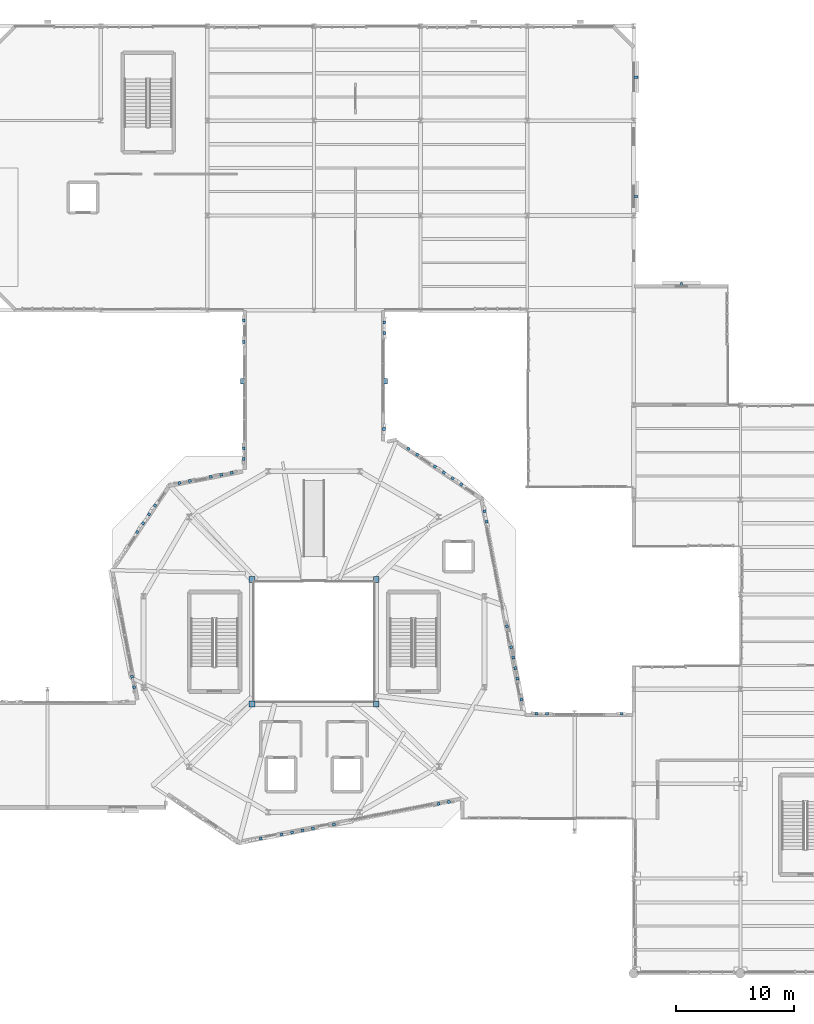
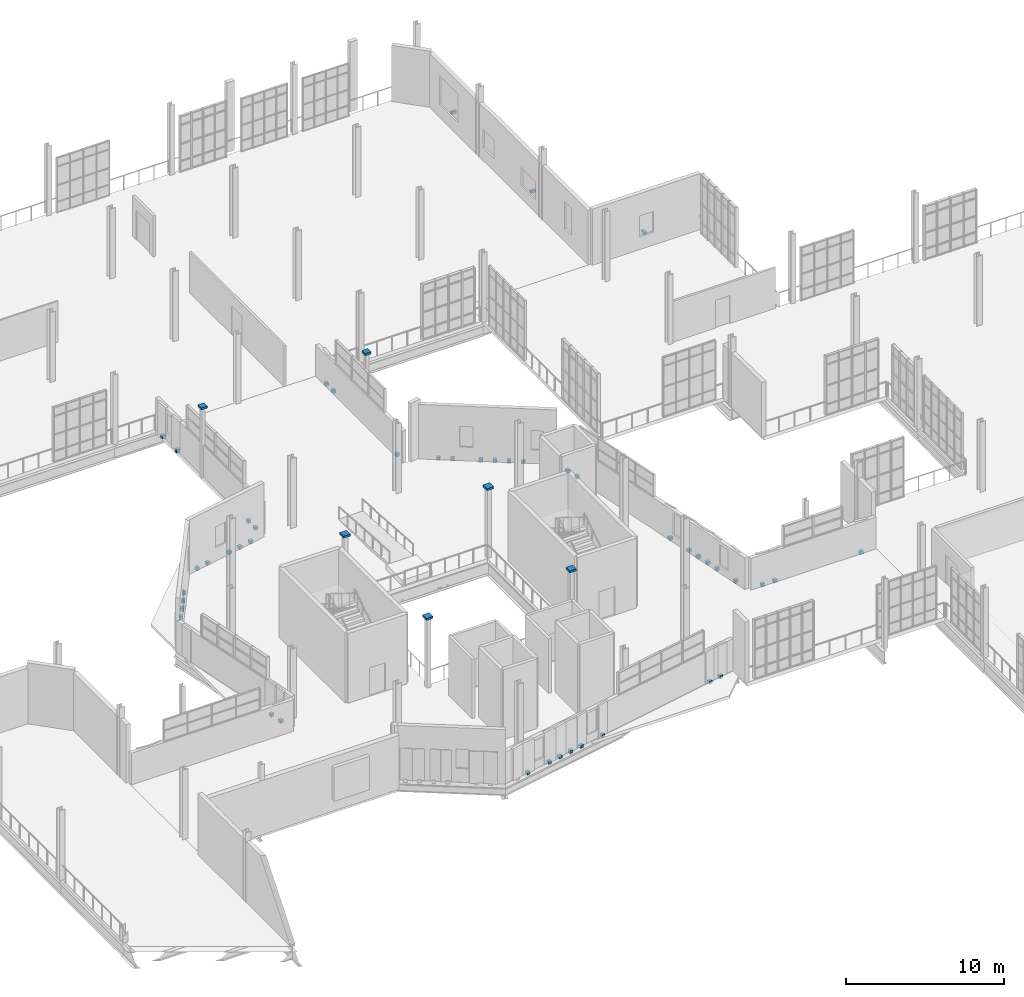
# One storey, part 130 of 142: 52 discrete accessories.
"""IFC4 building model written with IfcOpenShell, lengths in metres."""

import ifcopenshell
import ifcopenshell.guid

model = None  # the IFC model being written
_history = None  # IfcOwnerHistory: only IFC2X3 demands one
_inside = {}  # id of a spatial element -> (the spatial element, [elements in it])
_under = {}  # id of a project, library or spatial element -> (it, [spatial elements below it])
_declared = {}  # id of a project -> (the project, [libraries it declares])
_typed = {}  # id of a type object -> (the type object, [elements of that type])
_made_of = {}  # id of a material, layer set ... -> (it, [elements and type objects made of it])


def new_model(schema):
    """Start an empty IFC model of exactly this schema.

    Asked for "IFC4X3", IfcOpenShell would pick the latest addendum, in which some entities
    have other attributes; the version numbers below select the first issue.
    IFC2X3 requires an IfcOwnerHistory on every rooted entity: one is made here for all.
    """
    global model, _history
    if schema == "IFC4X3":
        model = ifcopenshell.file(schema_version=(4, 3, 0, 0))
    else:
        model = ifcopenshell.file(schema=schema)
    _inside.clear()
    _under.clear()
    _declared.clear()
    _typed.clear()
    _made_of.clear()
    _history = None
    if model.schema == "IFC2X3":
        org = make("IfcOrganization", Name="unknown")
        user = make(
            "IfcPersonAndOrganization",
            ThePerson=make("IfcPerson", FamilyName="unknown"),
            TheOrganization=org,
        )
        app = make(
            "IfcApplication",
            ApplicationDeveloper=org,
            Version="unknown",
            ApplicationFullName="unknown",
            ApplicationIdentifier="unknown",
        )
        _history = make(
            "IfcOwnerHistory",
            OwningUser=user,
            OwningApplication=app,
            ChangeAction="ADDED",
            CreationDate=0,
        )
    return model


def make(cls, **values):
    """One entity of the class cls with the attributes given. An attribute that is None is left unset."""
    return model.create_entity(
        cls, **{name: value for name, value in values.items() if value is not None}
    )


def rooted(cls, **values):
    """An entity with a GlobalId (a new one), such as an element, a storey or a relation."""
    return make(cls, GlobalId=ifcopenshell.guid.new(), OwnerHistory=_history, **values)


def si_unit(unit_type, name, prefix=None):
    """IfcSIUnit, for example si_unit("LENGTHUNIT", "METRE", prefix="MILLI")."""
    return make("IfcSIUnit", UnitType=unit_type, Prefix=prefix, Name=name)


def assignment(units):
    """IfcUnitAssignment: the units of a project."""
    return None if units is None else make("IfcUnitAssignment", Units=units)


def point(xyz):
    """IfcCartesianPoint."""
    return None if xyz is None else make("IfcCartesianPoint", Coordinates=xyz)


def direction(xyz):
    """IfcDirection."""
    return None if xyz is None else make("IfcDirection", DirectionRatios=xyz)


def frame(location, z_axis=None, x_axis=None):
    """IfcAxis2Placement3D, a coordinate frame: its origin and axes. An axis left out is left unset."""
    return make(
        "IfcAxis2Placement3D",
        Location=point(location),
        Axis=direction(z_axis),
        RefDirection=direction(x_axis),
    )


def origin():
    """The frame at (0, 0, 0) with its axes left unset."""
    return frame((0.0, 0.0, 0.0))


def place(relative_to, where):
    """IfcLocalPlacement: puts the frame where relative to a parent placement (None: the world)."""
    return make(
        "IfcLocalPlacement", PlacementRelTo=relative_to, RelativePlacement=where
    )


def context(
    kind, dimensions, precision=None, world=None, true_north=None, identifier=None
):
    """IfcGeometricRepresentationContext, for example the 3D "Model" context."""
    return make(
        "IfcGeometricRepresentationContext",
        ContextIdentifier=identifier,
        ContextType=kind,
        CoordinateSpaceDimension=dimensions,
        Precision=precision,
        WorldCoordinateSystem=world,
        TrueNorth=true_north,
    )


def subcontext(parent, identifier, kind, view, scale=None):
    """IfcGeometricRepresentationSubContext, for example "Body" below "Model"."""
    return make(
        "IfcGeometricRepresentationSubContext",
        ContextIdentifier=identifier,
        ContextType=kind,
        ParentContext=parent,
        TargetScale=scale,
        TargetView=view,
    )


def project(units=None, contexts=None):
    """IfcProject with its units and contexts."""
    return rooted(
        "IfcProject",
        Name="project",
        RepresentationContexts=contexts,
        UnitsInContext=assignment(units),
    )


def spatial(cls, under=None, at=None, **own):
    """A site, building, storey or space (cls), placed at a placement, below another one or the project."""
    s = rooted(cls, ObjectPlacement=at, **own)
    if under is not None:
        _under.setdefault(under.id(), (under, []))[1].append(s)
    return s


def polyline(points):
    """IfcPolyline through the points."""
    return make("IfcPolyline", Points=[point(p) for p in points])


def outline(outer, holes=None, kind="AREA"):
    """IfcArbitraryClosedProfileDef: a profile drawn as a closed curve; with holes, ...WithVoids."""
    if holes is None:
        return make("IfcArbitraryClosedProfileDef", ProfileType=kind, OuterCurve=outer)
    return make(
        "IfcArbitraryProfileDefWithVoids",
        ProfileType=kind,
        OuterCurve=outer,
        InnerCurves=holes,
    )


def extrude(swept, where, along, depth):
    """IfcExtrudedAreaSolid: the profile swept, set in the frame where, extruded along a direction by depth."""
    return make(
        "IfcExtrudedAreaSolid",
        SweptArea=swept,
        Position=where,
        ExtrudedDirection=direction(along),
        Depth=depth,
    )


def shape(context_of_items, identifier, shape_type, items):
    """IfcShapeRepresentation: the items that make up one representation, for example the "Body"."""
    return make(
        "IfcShapeRepresentation",
        ContextOfItems=context_of_items,
        RepresentationIdentifier=identifier,
        RepresentationType=shape_type,
        Items=items,
    )


def material(Name=None, Category=None):
    """IfcMaterial."""
    return make("IfcMaterial", Name=Name, Category=Category)


def made_of(thing, what):
    """Note that an element or type object is made of a material, layer set ...; save() writes the relation."""
    if what is not None:
        _made_of.setdefault(what.id(), (what, []))[1].append(thing)
    return thing


def type_object(cls, material=None, **own):
    """A type object (cls), such as IfcWallType, which elements share."""
    return made_of(rooted(cls, **own), material)


def element(
    cls,
    number,
    at=None,
    inside=None,
    cuts=None,
    type_object=None,
    material=None,
    context=None,
    identifier="Body",
    shape_type=None,
    held_by="IfcProductDefinitionShape",
    body=None,
    shapes=None,
    **own,
):
    """One element of the class cls, such as IfcWall. Its Tag is "e" and its number.

    at: its placement. inside: the storey or other place that contains it. cuts: it is an
    opening in that element (IfcRelVoidsElement). A single representation is given by context,
    identifier, shape_type and body (its items); several are given by shapes. held_by: the class
    of the entity that holds the representations. save() writes the other relations.
    """
    e = rooted(cls, Tag="e%d" % number, ObjectPlacement=at, **own)
    if body is not None:
        shapes = [shape(context, identifier, shape_type, body)]
    if shapes is not None:
        e.Representation = make(held_by, Representations=shapes)
    if inside is not None:
        _inside.setdefault(inside.id(), (inside, []))[1].append(e)
    if cuts is not None:
        rooted(
            "IfcRelVoidsElement", RelatingBuildingElement=cuts, RelatedOpeningElement=e
        )
    if type_object is not None:
        _typed.setdefault(type_object.id(), (type_object, []))[1].append(e)
    return made_of(e, material)


def aggregate(whole, parts):
    """IfcRelAggregates: a whole, such as a stair, and the parts it consists of."""
    return rooted("IfcRelAggregates", RelatingObject=whole, RelatedObjects=parts)


def save(model, path):
    """Write the relations noted so far, then the file.

    IfcRelAggregates (storeys below a building ...), IfcRelContainedInSpatialStructure (elements
    in a storey), IfcRelDefinesByType, IfcRelAssociatesMaterial and IfcRelDeclares: one each for
    every whole, place, type object, material and project.
    """
    for whole, parts in _under.values():
        aggregate(whole, parts)
    for where, things in _inside.values():
        rooted(
            "IfcRelContainedInSpatialStructure",
            RelatedElements=things,
            RelatingStructure=where,
        )
    for kind, things in _typed.values():
        rooted("IfcRelDefinesByType", RelatedObjects=things, RelatingType=kind)
    for what, things in _made_of.values():
        rooted("IfcRelAssociatesMaterial", RelatedObjects=things, RelatingMaterial=what)
    for by, libraries in _declared.values():
        rooted("IfcRelDeclares", RelatingContext=by, RelatedDefinitions=libraries)
    model.write(path)


model = new_model("IFC4")

# Units and contexts
model_context = context("Model", 3, precision=1e-05, world=origin(), true_north=direction((0.0, 1.0)))
body_context = subcontext(model_context, "Body", "Model", "MODEL_VIEW")
ifc_project = project(units=[si_unit("LENGTHUNIT", "METRE"), si_unit("AREAUNIT", "SQUARE_METRE"), si_unit("VOLUMEUNIT", "CUBIC_METRE"), si_unit("PLANEANGLEUNIT", "RADIAN"), si_unit("MASSUNIT", "GRAM", prefix="KILO"), si_unit("THERMODYNAMICTEMPERATUREUNIT", "KELVIN"), si_unit("POWERUNIT", "WATT")], contexts=[model_context])

# Site, building, storey
site_placement = place(None, origin())
site = spatial("IfcSite", under=ifc_project, at=site_placement, CompositionType="ELEMENT")
building_placement = place(site_placement, origin())
building = spatial("IfcBuilding", under=site, at=building_placement, Name="Zelmaris Science Centre", CompositionType="ELEMENT")
storey_placement = place(building_placement, frame((0.0, 0.0, 5.39990234375)))
storey = spatial("IfcBuildingStorey", under=building, at=storey_placement, Name="L01", CompositionType="ELEMENT", Elevation=5.39990234375)

# Discrete accessories
ifc_material_1 = material(Name="Galvanised steel ASTM A500 Grade B", Category="steel")
discrete_accessory_type_1 = type_object("IfcDiscreteAccessoryType", Name="Facade Bracket BK-01", PredefinedType="BRACKET", material=ifc_material_1)
discrete_accessory_1_placement = place(storey_placement, frame((0.0, 0.0, -0.139892578125)))
element("IfcDiscreteAccessory", 1, at=discrete_accessory_1_placement, inside=storey, type_object=discrete_accessory_type_1, Name="L01 Facade anchorage bracket 1", PredefinedType="BRACKET", context=body_context, shape_type="SweptSolid", body=[
    extrude(outline(polyline([(92.493896484375, 22.61474609375), (92.25830078125, 22.569091796875), (92.302490234375, 22.341796875), (92.5380859375, 22.387451171875), (92.493896484375, 22.61474609375)])), origin(), (0.0, 0.0, 1.0), 0.239990234375),
])
discrete_accessory_2_placement = place(storey_placement, frame((0.0, 0.0, -0.139892578125)))
element("IfcDiscreteAccessory", 2, at=discrete_accessory_2_placement, inside=storey, type_object=discrete_accessory_type_1, Name="L01 Facade anchorage bracket 2", PredefinedType="BRACKET", context=body_context, shape_type="SweptSolid", body=[
    extrude(outline(polyline([(91.6103515625, 22.443115234375), (91.374755859375, 22.397216796875), (91.4189453125, 22.169921875), (91.654541015625, 22.2158203125), (91.6103515625, 22.443115234375)])), origin(), (0.0, 0.0, 1.0), 0.239990234375),
])
discrete_accessory_3_placement = place(storey_placement, frame((0.0, 0.0, -0.139892578125)))
element("IfcDiscreteAccessory", 3, at=discrete_accessory_3_placement, inside=storey, type_object=discrete_accessory_type_1, Name="L01 Facade anchorage bracket 3", PredefinedType="BRACKET", context=body_context, shape_type="SweptSolid", body=[
    extrude(outline(polyline([(82.775634765625, 20.72607421875), (82.5400390625, 20.68017578125), (82.584228515625, 20.452880859375), (82.81982421875, 20.49853515625), (82.775634765625, 20.72607421875)])), origin(), (0.0, 0.0, 1.0), 0.239990234375),
])
discrete_accessory_4_placement = place(storey_placement, frame((0.0, 0.0, -0.139892578125)))
element("IfcDiscreteAccessory", 4, at=discrete_accessory_4_placement, inside=storey, type_object=discrete_accessory_type_1, Name="L01 Facade anchorage bracket 4", PredefinedType="BRACKET", context=body_context, shape_type="SweptSolid", body=[
    extrude(outline(polyline([(81.0087890625, 20.382568359375), (80.773193359375, 20.336669921875), (80.8173828125, 20.109375), (81.052978515625, 20.1552734375), (81.0087890625, 20.382568359375)])), origin(), (0.0, 0.0, 1.0), 0.239990234375),
])
discrete_accessory_5_placement = place(storey_placement, frame((0.0, 0.0, -0.139892578125)))
element("IfcDiscreteAccessory", 5, at=discrete_accessory_5_placement, inside=storey, type_object=discrete_accessory_type_1, Name="L01 Facade anchorage bracket 5", PredefinedType="BRACKET", context=body_context, shape_type="SweptSolid", body=[
    extrude(outline(polyline([(80.125244140625, 20.210693359375), (79.8896484375, 20.1650390625), (79.933837890625, 19.937744140625), (80.16943359375, 19.9833984375), (80.125244140625, 20.210693359375)])), origin(), (0.0, 0.0, 1.0), 0.239990234375),
])
discrete_accessory_6_placement = place(storey_placement, frame((0.0, 0.0, -0.139892578125)))
element("IfcDiscreteAccessory", 6, at=discrete_accessory_6_placement, inside=storey, type_object=discrete_accessory_type_1, Name="L01 Facade anchorage bracket 6", PredefinedType="BRACKET", context=body_context, shape_type="SweptSolid", body=[
    extrude(outline(polyline([(79.241943359375, 20.0390625), (79.00634765625, 19.993408203125), (79.050537109375, 19.76611328125), (79.2861328125, 19.811767578125), (79.241943359375, 20.0390625)])), origin(), (0.0, 0.0, 1.0), 0.239990234375),
])
discrete_accessory_7_placement = place(storey_placement, frame((0.0, 0.0, -0.139892578125)))
element("IfcDiscreteAccessory", 7, at=discrete_accessory_7_placement, inside=storey, type_object=discrete_accessory_type_1, Name="L01 Facade anchorage bracket 7", PredefinedType="BRACKET", context=body_context, shape_type="SweptSolid", body=[
    extrude(outline(polyline([(78.3583984375, 19.867431640625), (78.122802734375, 19.821533203125), (78.1669921875, 19.59423828125), (78.402587890625, 19.639892578125), (78.3583984375, 19.867431640625)])), origin(), (0.0, 0.0, 1.0), 0.239990234375),
])
discrete_accessory_8_placement = place(storey_placement, frame((0.0, 0.0, -0.139892578125)))
element("IfcDiscreteAccessory", 8, at=discrete_accessory_8_placement, inside=storey, type_object=discrete_accessory_type_1, Name="L01 Facade anchorage bracket 8", PredefinedType="BRACKET", context=body_context, shape_type="SweptSolid", body=[
    extrude(outline(polyline([(76.591552734375, 19.52392578125), (76.35595703125, 19.478271484375), (76.400146484375, 19.250732421875), (76.6357421875, 19.296630859375), (76.591552734375, 19.52392578125)])), origin(), (0.0, 0.0, 1.0), 0.239990234375),
])
discrete_accessory_9_placement = place(storey_placement, frame((0.0, 0.0, -0.139892578125)))
element("IfcDiscreteAccessory", 9, at=discrete_accessory_9_placement, inside=storey, type_object=discrete_accessory_type_1, Name="L01 Facade anchorage bracket 16", PredefinedType="BRACKET", context=body_context, shape_type="SweptSolid", body=[
    extrude(outline(polyline([(88.803466796875, 52.276611328125), (89.00244140625, 52.142333984375), (89.1318359375, 52.33447265625), (88.932861328125, 52.468505859375), (88.803466796875, 52.276611328125)])), origin(), (0.0, 0.0, 1.0), 0.239990234375),
])
discrete_accessory_10_placement = place(storey_placement, frame((0.0, 0.0, -0.139892578125)))
element("IfcDiscreteAccessory", 10, at=discrete_accessory_10_placement, inside=storey, type_object=discrete_accessory_type_1, Name="L01 Facade anchorage bracket 17", PredefinedType="BRACKET", context=body_context, shape_type="SweptSolid", body=[
    extrude(outline(polyline([(89.549560546875, 51.773193359375), (89.74853515625, 51.63916015625), (89.8779296875, 51.8310546875), (89.678955078125, 51.96533203125), (89.549560546875, 51.773193359375)])), origin(), (0.0, 0.0, 1.0), 0.239990234375),
])
discrete_accessory_11_placement = place(storey_placement, frame((0.0, 0.0, -0.139892578125)))
element("IfcDiscreteAccessory", 11, at=discrete_accessory_11_placement, inside=storey, type_object=discrete_accessory_type_1, Name="L01 Facade anchorage bracket 18", PredefinedType="BRACKET", context=body_context, shape_type="SweptSolid", body=[
    extrude(outline(polyline([(91.041748046875, 50.766845703125), (91.24072265625, 50.632568359375), (91.370361328125, 50.82470703125), (91.17138671875, 50.958740234375), (91.041748046875, 50.766845703125)])), origin(), (0.0, 0.0, 1.0), 0.239990234375),
])
discrete_accessory_12_placement = place(storey_placement, frame((0.0, 0.0, -0.139892578125)))
element("IfcDiscreteAccessory", 12, at=discrete_accessory_12_placement, inside=storey, type_object=discrete_accessory_type_1, Name="L01 Facade anchorage bracket 19", PredefinedType="BRACKET", context=body_context, shape_type="SweptSolid", body=[
    extrude(outline(polyline([(91.787841796875, 50.263427734375), (91.98681640625, 50.12939453125), (92.116455078125, 50.3212890625), (91.91748046875, 50.45556640625), (91.787841796875, 50.263427734375)])), origin(), (0.0, 0.0, 1.0), 0.239990234375),
])
discrete_accessory_13_placement = place(storey_placement, frame((0.0, 0.0, -0.139892578125)))
element("IfcDiscreteAccessory", 13, at=discrete_accessory_13_placement, inside=storey, type_object=discrete_accessory_type_1, Name="L01 Facade anchorage bracket 20", PredefinedType="BRACKET", context=body_context, shape_type="SweptSolid", body=[
    extrude(outline(polyline([(92.5341796875, 49.76025390625), (92.73291015625, 49.6259765625), (92.862548828125, 49.818115234375), (92.66357421875, 49.952392578125), (92.5341796875, 49.76025390625)])), origin(), (0.0, 0.0, 1.0), 0.239990234375),
])
discrete_accessory_14_placement = place(storey_placement, frame((0.0, 0.0, -0.139892578125)))
element("IfcDiscreteAccessory", 14, at=discrete_accessory_14_placement, inside=storey, type_object=discrete_accessory_type_1, Name="L01 Facade anchorage bracket 21", PredefinedType="BRACKET", context=body_context, shape_type="SweptSolid", body=[
    extrude(outline(polyline([(93.2802734375, 49.257080078125), (93.479248046875, 49.122802734375), (93.608642578125, 49.314697265625), (93.40966796875, 49.448974609375), (93.2802734375, 49.257080078125)])), origin(), (0.0, 0.0, 1.0), 0.239990234375),
])
discrete_accessory_15_placement = place(storey_placement, frame((0.0, 0.0, -0.139892578125)))
element("IfcDiscreteAccessory", 15, at=discrete_accessory_15_placement, inside=storey, type_object=discrete_accessory_type_1, Name="L01 Facade anchorage bracket 22", PredefinedType="BRACKET", context=body_context, shape_type="SweptSolid", body=[
    extrude(outline(polyline([(95.261474609375, 47.115478515625), (95.3076171875, 46.8798828125), (95.534912109375, 46.92431640625), (95.48876953125, 47.159912109375), (95.261474609375, 47.115478515625)])), origin(), (0.0, 0.0, 1.0), 0.239990234375),
])
discrete_accessory_16_placement = place(storey_placement, frame((0.0, 0.0, -0.139892578125)))
element("IfcDiscreteAccessory", 16, at=discrete_accessory_16_placement, inside=storey, type_object=discrete_accessory_type_1, Name="L01 Facade anchorage bracket 23", PredefinedType="BRACKET", context=body_context, shape_type="SweptSolid", body=[
    extrude(outline(polyline([(95.43408203125, 46.232177734375), (95.47998046875, 45.99658203125), (95.70751953125, 46.041015625), (95.661376953125, 46.276611328125), (95.43408203125, 46.232177734375)])), origin(), (0.0, 0.0, 1.0), 0.239990234375),
])
discrete_accessory_17_placement = place(storey_placement, frame((0.0, 0.0, -0.139892578125)))
element("IfcDiscreteAccessory", 17, at=discrete_accessory_17_placement, inside=storey, type_object=discrete_accessory_type_1, Name="L01 Facade anchorage bracket 24", PredefinedType="BRACKET", context=body_context, shape_type="SweptSolid", body=[
    extrude(outline(polyline([(97.159912109375, 37.399169921875), (97.205810546875, 37.16357421875), (97.43310546875, 37.2080078125), (97.38720703125, 37.443603515625), (97.159912109375, 37.399169921875)])), origin(), (0.0, 0.0, 1.0), 0.239990234375),
])
discrete_accessory_18_placement = place(storey_placement, frame((0.0, 0.0, -0.139892578125)))
element("IfcDiscreteAccessory", 18, at=discrete_accessory_18_placement, inside=storey, type_object=discrete_accessory_type_1, Name="L01 Facade anchorage bracket 25", PredefinedType="BRACKET", context=body_context, shape_type="SweptSolid", body=[
    extrude(outline(polyline([(97.5048828125, 35.632568359375), (97.551025390625, 35.39697265625), (97.7783203125, 35.44140625), (97.732421875, 35.677001953125), (97.5048828125, 35.632568359375)])), origin(), (0.0, 0.0, 1.0), 0.239990234375),
])
discrete_accessory_19_placement = place(storey_placement, frame((0.0, 0.0, -0.139892578125)))
element("IfcDiscreteAccessory", 19, at=discrete_accessory_19_placement, inside=storey, type_object=discrete_accessory_type_1, Name="L01 Facade anchorage bracket 26", PredefinedType="BRACKET", context=body_context, shape_type="SweptSolid", body=[
    extrude(outline(polyline([(97.677490234375, 34.749267578125), (97.7236328125, 34.513671875), (97.950927734375, 34.55810546875), (97.90478515625, 34.793701171875), (97.677490234375, 34.749267578125)])), origin(), (0.0, 0.0, 1.0), 0.239990234375),
])
discrete_accessory_20_placement = place(storey_placement, frame((0.0, 0.0, -0.139892578125)))
element("IfcDiscreteAccessory", 20, at=discrete_accessory_20_placement, inside=storey, type_object=discrete_accessory_type_1, Name="L01 Facade anchorage bracket 27", PredefinedType="BRACKET", context=body_context, shape_type="SweptSolid", body=[
    extrude(outline(polyline([(97.85009765625, 33.865966796875), (97.896240234375, 33.63037109375), (98.12353515625, 33.6748046875), (98.077392578125, 33.910400390625), (97.85009765625, 33.865966796875)])), origin(), (0.0, 0.0, 1.0), 0.239990234375),
])
discrete_accessory_21_placement = place(storey_placement, frame((0.0, 0.0, -0.139892578125)))
element("IfcDiscreteAccessory", 21, at=discrete_accessory_21_placement, inside=storey, type_object=discrete_accessory_type_1, Name="L01 Facade anchorage bracket 28", PredefinedType="BRACKET", context=body_context, shape_type="SweptSolid", body=[
    extrude(outline(polyline([(98.022705078125, 32.982666015625), (98.068603515625, 32.7470703125), (98.2958984375, 32.79150390625), (98.25, 33.027099609375), (98.022705078125, 32.982666015625)])), origin(), (0.0, 0.0, 1.0), 0.239990234375),
])
discrete_accessory_22_placement = place(storey_placement, frame((0.0, 0.0, -0.139892578125)))
element("IfcDiscreteAccessory", 22, at=discrete_accessory_22_placement, inside=storey, type_object=discrete_accessory_type_1, Name="L01 Facade anchorage bracket 29", PredefinedType="BRACKET", context=body_context, shape_type="SweptSolid", body=[
    extrude(outline(polyline([(98.367919921875, 31.216064453125), (98.413818359375, 30.98046875), (98.64111328125, 31.02490234375), (98.59521484375, 31.260498046875), (98.367919921875, 31.216064453125)])), origin(), (0.0, 0.0, 1.0), 0.239990234375),
])
discrete_accessory_23_placement = place(storey_placement, frame((0.0, 0.0, -0.139892578125)))
element("IfcDiscreteAccessory", 23, at=discrete_accessory_23_placement, inside=storey, type_object=discrete_accessory_type_1, Name="L01 Facade anchorage bracket 30", PredefinedType="BRACKET", context=body_context, shape_type="SweptSolid", body=[
    extrude(outline(polyline([(99.6591796875, 29.809326171875), (99.8994140625, 29.80908203125), (99.8994140625, 30.040771484375), (99.659423828125, 30.041015625), (99.6591796875, 29.809326171875)])), origin(), (0.0, 0.0, 1.0), 0.239990234375),
])
discrete_accessory_24_placement = place(storey_placement, frame((0.0, 0.0, -0.139892578125)))
element("IfcDiscreteAccessory", 24, at=discrete_accessory_24_placement, inside=storey, type_object=discrete_accessory_type_1, Name="L01 Facade anchorage bracket 31", PredefinedType="BRACKET", context=body_context, shape_type="SweptSolid", body=[
    extrude(outline(polyline([(100.559326171875, 29.80859375), (100.79931640625, 29.80810546875), (100.799560546875, 30.039794921875), (100.5595703125, 30.0400390625), (100.559326171875, 29.80859375)])), origin(), (0.0, 0.0, 1.0), 0.239990234375),
])
discrete_accessory_25_placement = place(storey_placement, frame((0.0, 0.0, -0.139892578125)))
element("IfcDiscreteAccessory", 25, at=discrete_accessory_25_placement, inside=storey, type_object=discrete_accessory_type_1, Name="L01 Facade anchorage bracket 32", PredefinedType="BRACKET", context=body_context, shape_type="SweptSolid", body=[
    extrude(outline(polyline([(106.859375, 29.80224609375), (107.099365234375, 29.802001953125), (107.099609375, 30.03369140625), (106.859619140625, 30.033935546875), (106.859375, 29.80224609375)])), origin(), (0.0, 0.0, 1.0), 0.239990234375),
])
discrete_accessory_26_placement = place(storey_placement, frame((0.0, 0.0, -0.139892578125)))
element("IfcDiscreteAccessory", 26, at=discrete_accessory_26_placement, inside=storey, type_object=discrete_accessory_type_1, Name="L01 Facade anchorage bracket 33", PredefinedType="BRACKET", context=body_context, shape_type="SweptSolid", body=[
    extrude(outline(polyline([(86.816162109375, 63.081298828125), (86.81591796875, 62.84130859375), (87.04736328125, 62.8408203125), (87.0478515625, 63.080810546875), (86.816162109375, 63.081298828125)])), origin(), (0.0, 0.0, 1.0), 0.239990234375),
])
discrete_accessory_27_placement = place(storey_placement, frame((0.0, 0.0, -0.139892578125)))
element("IfcDiscreteAccessory", 27, at=discrete_accessory_27_placement, inside=storey, type_object=discrete_accessory_type_1, Name="L01 Facade anchorage bracket 34", PredefinedType="BRACKET", context=body_context, shape_type="SweptSolid", body=[
    extrude(outline(polyline([(86.814697265625, 62.181396484375), (86.814453125, 61.94140625), (87.0458984375, 61.94091796875), (87.04638671875, 62.180908203125), (86.814697265625, 62.181396484375)])), origin(), (0.0, 0.0, 1.0), 0.239990234375),
])
discrete_accessory_28_placement = place(storey_placement, frame((0.0, 0.0, -0.139892578125)))
element("IfcDiscreteAccessory", 28, at=discrete_accessory_28_placement, inside=storey, type_object=discrete_accessory_type_1, Name="L01 Facade anchorage bracket 35", PredefinedType="BRACKET", context=body_context, shape_type="SweptSolid", body=[
    extrude(outline(polyline([(86.802001953125, 54.081298828125), (86.8017578125, 53.84130859375), (87.033203125, 53.841064453125), (87.03369140625, 54.0810546875), (86.802001953125, 54.081298828125)])), origin(), (0.0, 0.0, 1.0), 0.239990234375),
])
discrete_accessory_29_placement = place(storey_placement, frame((0.0, 0.0, -0.139892578125)))
element("IfcDiscreteAccessory", 29, at=discrete_accessory_29_placement, inside=storey, type_object=discrete_accessory_type_1, Name="L01 Facade anchorage bracket 39", PredefinedType="BRACKET", context=body_context, shape_type="SweptSolid", body=[
    extrude(outline(polyline([(65.9443359375, 32.062255859375), (65.8984375, 32.2978515625), (65.671142578125, 32.253662109375), (65.717041015625, 32.01806640625), (65.9443359375, 32.062255859375)])), origin(), (0.0, 0.0, 1.0), 0.239990234375),
])
discrete_accessory_30_placement = place(storey_placement, frame((0.0, 0.0, -0.139892578125)))
element("IfcDiscreteAccessory", 30, at=discrete_accessory_30_placement, inside=storey, type_object=discrete_accessory_type_1, Name="L01 Facade anchorage bracket 40", PredefinedType="BRACKET", context=body_context, shape_type="SweptSolid", body=[
    extrude(outline(polyline([(65.772705078125, 32.94580078125), (65.726806640625, 33.181396484375), (65.49951171875, 33.13720703125), (65.545166015625, 32.901611328125), (65.772705078125, 32.94580078125)])), origin(), (0.0, 0.0, 1.0), 0.239990234375),
])
discrete_accessory_31_placement = place(storey_placement, frame((0.0, 0.0, -0.139892578125)))
element("IfcDiscreteAccessory", 31, at=discrete_accessory_31_placement, inside=storey, type_object=discrete_accessory_type_1, Name="L01 Facade anchorage bracket 44", PredefinedType="BRACKET", context=body_context, shape_type="SweptSolid", body=[
    extrude(outline(polyline([(66.098388671875, 45.096923828125), (66.232421875, 45.2958984375), (66.04052734375, 45.425537109375), (65.90625, 45.2265625), (66.098388671875, 45.096923828125)])), origin(), (0.0, 0.0, 1.0), 0.239990234375),
])
discrete_accessory_32_placement = place(storey_placement, frame((0.0, 0.0, -0.139892578125)))
element("IfcDiscreteAccessory", 32, at=discrete_accessory_32_placement, inside=storey, type_object=discrete_accessory_type_1, Name="L01 Facade anchorage bracket 45", PredefinedType="BRACKET", context=body_context, shape_type="SweptSolid", body=[
    extrude(outline(polyline([(66.6015625, 45.843017578125), (66.73583984375, 46.0419921875), (66.543701171875, 46.171630859375), (66.40966796875, 45.97265625), (66.6015625, 45.843017578125)])), origin(), (0.0, 0.0, 1.0), 0.239990234375),
])
discrete_accessory_33_placement = place(storey_placement, frame((0.0, 0.0, -0.139892578125)))
element("IfcDiscreteAccessory", 33, at=discrete_accessory_33_placement, inside=storey, type_object=discrete_accessory_type_1, Name="L01 Facade anchorage bracket 46", PredefinedType="BRACKET", context=body_context, shape_type="SweptSolid", body=[
    extrude(outline(polyline([(67.104736328125, 46.58935546875), (67.239013671875, 46.7880859375), (67.047119140625, 46.917724609375), (66.912841796875, 46.71875), (67.104736328125, 46.58935546875)])), origin(), (0.0, 0.0, 1.0), 0.239990234375),
])
discrete_accessory_34_placement = place(storey_placement, frame((0.0, 0.0, -0.139892578125)))
element("IfcDiscreteAccessory", 34, at=discrete_accessory_34_placement, inside=storey, type_object=discrete_accessory_type_1, Name="L01 Facade anchorage bracket 47", PredefinedType="BRACKET", context=body_context, shape_type="SweptSolid", body=[
    extrude(outline(polyline([(67.608154296875, 47.33544921875), (67.7421875, 47.534423828125), (67.55029296875, 47.663818359375), (67.416015625, 47.46484375), (67.608154296875, 47.33544921875)])), origin(), (0.0, 0.0, 1.0), 0.239990234375),
])
discrete_accessory_35_placement = place(storey_placement, frame((0.0, 0.0, -0.139892578125)))
element("IfcDiscreteAccessory", 35, at=discrete_accessory_35_placement, inside=storey, type_object=discrete_accessory_type_1, Name="L01 Facade anchorage bracket 48", PredefinedType="BRACKET", context=body_context, shape_type="SweptSolid", body=[
    extrude(outline(polyline([(69.538818359375, 49.274658203125), (69.7744140625, 49.320556640625), (69.730224609375, 49.5478515625), (69.49462890625, 49.502197265625), (69.538818359375, 49.274658203125)])), origin(), (0.0, 0.0, 1.0), 0.239990234375),
])
discrete_accessory_36_placement = place(storey_placement, frame((0.0, 0.0, -0.139892578125)))
element("IfcDiscreteAccessory", 36, at=discrete_accessory_36_placement, inside=storey, type_object=discrete_accessory_type_1, Name="L01 Facade anchorage bracket 49", PredefinedType="BRACKET", context=body_context, shape_type="SweptSolid", body=[
    extrude(outline(polyline([(70.42236328125, 49.446533203125), (70.657958984375, 49.4921875), (70.61376953125, 49.719482421875), (70.378173828125, 49.673828125), (70.42236328125, 49.446533203125)])), origin(), (0.0, 0.0, 1.0), 0.239990234375),
])
discrete_accessory_37_placement = place(storey_placement, frame((0.0, 0.0, -0.139892578125)))
element("IfcDiscreteAccessory", 37, at=discrete_accessory_37_placement, inside=storey, type_object=discrete_accessory_type_1, Name="L01 Facade anchorage bracket 50", PredefinedType="BRACKET", context=body_context, shape_type="SweptSolid", body=[
    extrude(outline(polyline([(72.189208984375, 49.7900390625), (72.4248046875, 49.835693359375), (72.380615234375, 50.06298828125), (72.14501953125, 50.017333984375), (72.189208984375, 49.7900390625)])), origin(), (0.0, 0.0, 1.0), 0.239990234375),
])
discrete_accessory_38_placement = place(storey_placement, frame((0.0, 0.0, -0.139892578125)))
element("IfcDiscreteAccessory", 38, at=discrete_accessory_38_placement, inside=storey, type_object=discrete_accessory_type_1, Name="L01 Facade anchorage bracket 51", PredefinedType="BRACKET", context=body_context, shape_type="SweptSolid", body=[
    extrude(outline(polyline([(73.07275390625, 49.961669921875), (73.308349609375, 50.007568359375), (73.26416015625, 50.23486328125), (73.028564453125, 50.189208984375), (73.07275390625, 49.961669921875)])), origin(), (0.0, 0.0, 1.0), 0.239990234375),
])
discrete_accessory_39_placement = place(storey_placement, frame((0.0, 0.0, -0.139892578125)))
element("IfcDiscreteAccessory", 39, at=discrete_accessory_39_placement, inside=storey, type_object=discrete_accessory_type_1, Name="L01 Facade anchorage bracket 52", PredefinedType="BRACKET", context=body_context, shape_type="SweptSolid", body=[
    extrude(outline(polyline([(73.9560546875, 50.133544921875), (74.191650390625, 50.17919921875), (74.1474609375, 50.406494140625), (73.912109375, 50.36083984375), (73.9560546875, 50.133544921875)])), origin(), (0.0, 0.0, 1.0), 0.239990234375),
])
discrete_accessory_40_placement = place(storey_placement, frame((0.0, 0.0, -0.139892578125)))
element("IfcDiscreteAccessory", 40, at=discrete_accessory_40_placement, inside=storey, type_object=discrete_accessory_type_1, Name="L01 Facade anchorage bracket 53", PredefinedType="BRACKET", context=body_context, shape_type="SweptSolid", body=[
    extrude(outline(polyline([(75.1923828125, 51.302001953125), (75.192138671875, 51.5419921875), (74.96044921875, 51.541748046875), (74.960693359375, 51.3017578125), (75.1923828125, 51.302001953125)])), origin(), (0.0, 0.0, 1.0), 0.239990234375),
])
discrete_accessory_41_placement = place(storey_placement, frame((0.0, 0.0, -0.139892578125)))
element("IfcDiscreteAccessory", 41, at=discrete_accessory_41_placement, inside=storey, type_object=discrete_accessory_type_1, Name="L01 Facade anchorage bracket 54", PredefinedType="BRACKET", context=body_context, shape_type="SweptSolid", body=[
    extrude(outline(polyline([(75.191650390625, 52.201904296875), (75.19140625, 52.44189453125), (74.959716796875, 52.44189453125), (74.9599609375, 52.201904296875), (75.191650390625, 52.201904296875)])), origin(), (0.0, 0.0, 1.0), 0.239990234375),
])
discrete_accessory_42_placement = place(storey_placement, frame((0.0, 0.0, -0.139892578125)))
element("IfcDiscreteAccessory", 42, at=discrete_accessory_42_placement, inside=storey, type_object=discrete_accessory_type_1, Name="L01 Facade anchorage bracket 55", PredefinedType="BRACKET", context=body_context, shape_type="SweptSolid", body=[
    extrude(outline(polyline([(75.1845703125, 61.201904296875), (75.184326171875, 61.44189453125), (74.952880859375, 61.44189453125), (74.952880859375, 61.201904296875), (75.1845703125, 61.201904296875)])), origin(), (0.0, 0.0, 1.0), 0.239990234375),
])
discrete_accessory_43_placement = place(storey_placement, frame((0.0, 0.0, -0.139892578125)))
element("IfcDiscreteAccessory", 43, at=discrete_accessory_43_placement, inside=storey, type_object=discrete_accessory_type_1, Name="L01 Facade anchorage bracket 56", PredefinedType="BRACKET", context=body_context, shape_type="SweptSolid", body=[
    extrude(outline(polyline([(75.18310546875, 63.001953125), (75.18310546875, 63.241943359375), (74.951416015625, 63.24169921875), (74.95166015625, 63.001708984375), (75.18310546875, 63.001953125)])), origin(), (0.0, 0.0, 1.0), 0.239990234375),
])
discrete_accessory_type_2 = type_object("IfcDiscreteAccessoryType", Name="Facade Bracket BK-02", PredefinedType="BRACKET", material=ifc_material_1)
discrete_accessory_44_placement = place(storey_placement, frame((0.0, 0.0, 0.920166015625)))
element("IfcDiscreteAccessory", 44, at=discrete_accessory_44_placement, inside=storey, type_object=discrete_accessory_type_2, Name="L01 Louvre support bracket 6", PredefinedType="BRACKET", context=body_context, shape_type="SweptSolid", body=[
    extrude(outline(polyline([(108.000244140625, 83.7802734375), (108.000244140625, 83.580322265625), (108.3603515625, 83.580322265625), (108.360107421875, 83.7802734375), (108.000244140625, 83.7802734375)])), origin(), (0.0, 0.0, 1.0), 0.179931640625),
])
discrete_accessory_45_placement = place(storey_placement, frame((0.0, 0.0, 0.920166015625)))
element("IfcDiscreteAccessory", 45, at=discrete_accessory_45_placement, inside=storey, type_object=discrete_accessory_type_2, Name="L01 Louvre support bracket 7", PredefinedType="BRACKET", context=body_context, shape_type="SweptSolid", body=[
    extrude(outline(polyline([(108.001708984375, 73.70166015625), (108.001708984375, 73.501708984375), (108.341552734375, 73.501708984375), (108.341552734375, 73.70166015625), (108.001708984375, 73.70166015625)])), origin(), (0.0, 0.0, 1.0), 0.179931640625),
])
discrete_accessory_46_placement = place(storey_placement, frame((0.0, 0.0, 0.920166015625)))
element("IfcDiscreteAccessory", 46, at=discrete_accessory_46_placement, inside=storey, type_object=discrete_accessory_type_2, Name="L01 Louvre support bracket 8", PredefinedType="BRACKET", context=body_context, shape_type="SweptSolid", body=[
    extrude(outline(polyline([(111.929931640625, 66.0), (112.1298828125, 66.0), (112.1298828125, 66.35009765625), (111.929931640625, 66.35009765625), (111.929931640625, 66.0)])), origin(), (0.0, 0.0, 1.0), 0.179931640625),
])
ifc_material_2 = material(Name="Steel ASTM A500 Grade C", Category="steel")
discrete_accessory_type_3 = type_object("IfcDiscreteAccessoryType", Name="Hollow Section End Cap Plate BK-ECP", PredefinedType="BRACKET", material=ifc_material_2)
discrete_accessory_47_placement = place(storey_placement, frame((0.0, 0.0, 5.3271484375)))
element("IfcDiscreteAccessory", 47, at=discrete_accessory_47_placement, inside=storey, type_object=discrete_accessory_type_3, Name="End cap plate 4", PredefinedType="BRACKET", context=body_context, shape_type="SweptSolid", body=[
    extrude(outline(polyline([(75.502197265625, 30.502197265625), (75.997802734375, 30.502197265625), (75.997802734375, 30.997802734375), (75.502197265625, 30.997802734375), (75.502197265625, 30.502197265625)])), origin(), (0.0, 0.0, 1.0), 0.157958984375),
])
discrete_accessory_48_placement = place(storey_placement, frame((0.0, 0.0, 5.3271484375)))
element("IfcDiscreteAccessory", 48, at=discrete_accessory_48_placement, inside=storey, type_object=discrete_accessory_type_3, Name="End cap plate 12", PredefinedType="BRACKET", context=body_context, shape_type="SweptSolid", body=[
    extrude(outline(polyline([(86.002197265625, 30.502197265625), (86.497802734375, 30.502197265625), (86.497802734375, 30.997802734375), (86.002197265625, 30.997802734375), (86.002197265625, 30.502197265625)])), origin(), (0.0, 0.0, 1.0), 0.157958984375),
])
discrete_accessory_49_placement = place(storey_placement, frame((0.0, 0.0, 5.3271484375)))
element("IfcDiscreteAccessory", 49, at=discrete_accessory_49_placement, inside=storey, type_object=discrete_accessory_type_3, Name="End cap plate 20", PredefinedType="BRACKET", context=body_context, shape_type="SweptSolid", body=[
    extrude(outline(polyline([(86.002197265625, 41.002197265625), (86.497802734375, 41.002197265625), (86.497802734375, 41.497802734375), (86.002197265625, 41.497802734375), (86.002197265625, 41.002197265625)])), origin(), (0.0, 0.0, 1.0), 0.157958984375),
])
discrete_accessory_50_placement = place(storey_placement, frame((0.0, 0.0, 5.3271484375)))
element("IfcDiscreteAccessory", 50, at=discrete_accessory_50_placement, inside=storey, type_object=discrete_accessory_type_3, Name="End cap plate 28", PredefinedType="BRACKET", context=body_context, shape_type="SweptSolid", body=[
    extrude(outline(polyline([(75.502197265625, 41.002197265625), (75.997802734375, 41.002197265625), (75.997802734375, 41.497802734375), (75.502197265625, 41.497802734375), (75.502197265625, 41.002197265625)])), origin(), (0.0, 0.0, 1.0), 0.157958984375),
])
discrete_accessory_51_placement = place(storey_placement, frame((0.0, 0.0, 5.3271484375)))
element("IfcDiscreteAccessory", 51, at=discrete_accessory_51_placement, inside=storey, type_object=discrete_accessory_type_3, Name="End cap plate 44", PredefinedType="BRACKET", context=body_context, shape_type="SweptSolid", body=[
    extrude(outline(polyline([(74.78076171875, 57.78076171875), (75.21923828125, 57.78076171875), (75.21923828125, 58.21923828125), (74.78076171875, 58.21923828125), (74.78076171875, 57.78076171875)])), origin(), (0.0, 0.0, 1.0), 0.157958984375),
])
discrete_accessory_52_placement = place(storey_placement, frame((0.0, 0.0, 5.3271484375)))
element("IfcDiscreteAccessory", 52, at=discrete_accessory_52_placement, inside=storey, type_object=discrete_accessory_type_3, Name="End cap plate 52", PredefinedType="BRACKET", context=body_context, shape_type="SweptSolid", body=[
    extrude(outline(polyline([(86.78076171875, 57.78076171875), (87.21923828125, 57.78076171875), (87.21923828125, 58.21923828125), (86.78076171875, 58.21923828125), (86.78076171875, 57.78076171875)])), origin(), (0.0, 0.0, 1.0), 0.157958984375),
])

save(model, "model.ifc")
